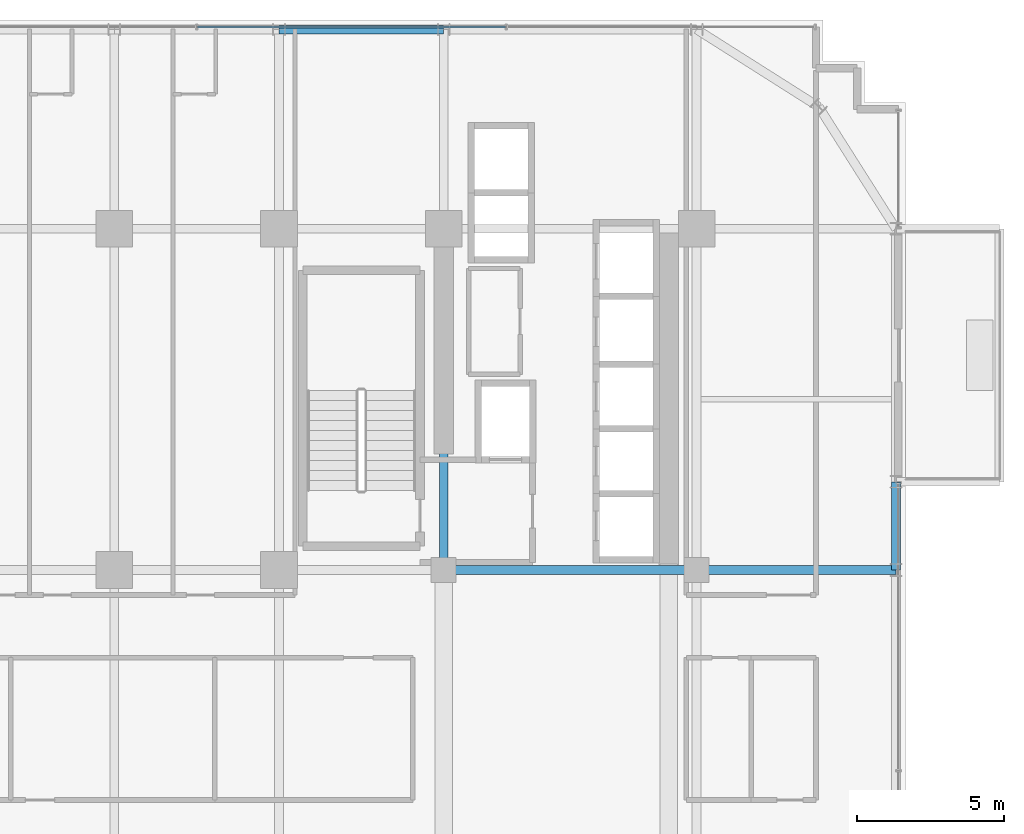
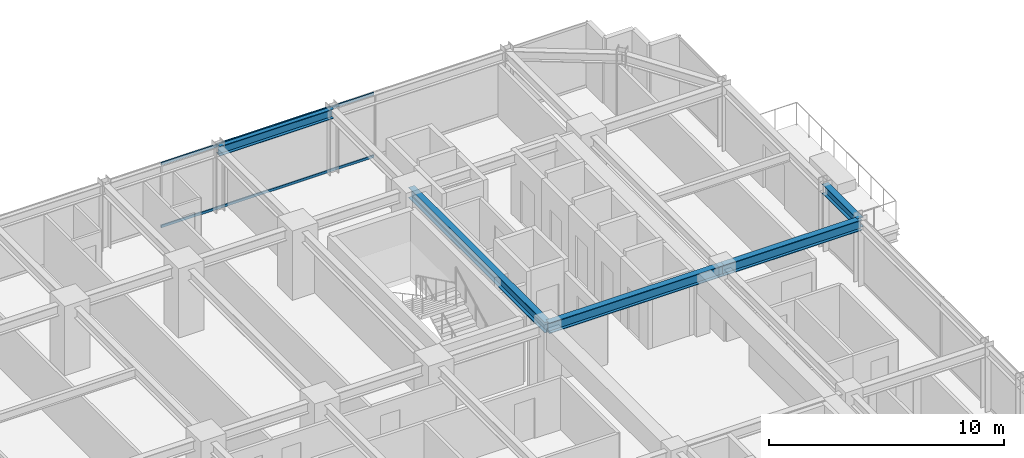
# One storey, part 20 of 32: 5 beams, 2 members, 1 element without a shape of its own.
"""IFC4 building model written with IfcOpenShell, lengths in metres."""

from ifc_helpers import new_model, si_unit, direction, frame, origin, origin_2d, place, context, subcontext, project, spatial, hollow_rectangle, i_section, extrude, source, transform, mapped, material, material_profile, profile_set, type_object, element, aggregate, save


model = new_model("IFC4")

# Units and contexts
model_context = context("Model", 3, precision=1e-05, world=origin(), true_north=direction((0.0, 1.0)))
body_context = subcontext(model_context, "Body", "Model", "MODEL_VIEW")
ifc_project = project(units=[si_unit("LENGTHUNIT", "METRE"), si_unit("AREAUNIT", "SQUARE_METRE"), si_unit("VOLUMEUNIT", "CUBIC_METRE"), si_unit("PLANEANGLEUNIT", "RADIAN"), si_unit("MASSUNIT", "GRAM", prefix="KILO")], contexts=[model_context])

# Site, building, storey
site_placement = place(None, origin())
site = spatial("IfcSite", under=ifc_project, at=site_placement, CompositionType="ELEMENT")
building_placement = place(site_placement, origin())
building = spatial("IfcBuilding", under=site, at=building_placement, Name="Nahalor Promenade Grand Hotel", CompositionType="ELEMENT")
storey_placement = place(building_placement, frame((0.0, 0.0, 102.89990234375)))
storey = spatial("IfcBuildingStorey", under=building, at=storey_placement, Name="L25", CompositionType="ELEMENT", Elevation=102.89990234375)

# Beams
ifc_material_1 = material(Name="Steel S355JR", Category="steel")
ifc_material_profile_1 = material_profile(ifc_material_1, i_section(OverallWidth=0.3, OverallDepth=0.5, WebThickness=0.0145, FlangeThickness=0.028, at=origin_2d()), Name="HEB 500")
ifc_profile_set_1 = profile_set([ifc_material_profile_1], Name="Steel S355JR")
beam_type_1 = type_object("IfcBeamType", Name="Beam-Spandrel-HEB500", PredefinedType="SPANDREL", material=ifc_profile_set_1)
shared_shape_1 = source(origin(), body_context, "Body", "SweptSolid", [
    extrude(i_section(OverallWidth=0.3, OverallDepth=0.5, WebThickness=0.0145, FlangeThickness=0.028, at=origin_2d()), origin(), (0.0, 0.0, 1.0), 5.599853515625),
])
beam_1_placement = place(storey_placement, frame((2.800048828125, 23.780029296875, 3.130126953125), z_axis=(1.0, 0.0, 0.0), x_axis=(0.0, 1.0, 0.0)))
element("IfcBeam", 1, at=beam_1_placement, inside=storey, type_object=beam_type_1, Name="BM-L25-SP-N-3", PredefinedType="SPANDREL", context=body_context, shape_type="MappedRepresentation", body=[
    mapped(shared_shape_1, transform((0.0, 0.0, 0.0), scale=1.0)),
])
shared_shape_2 = source(origin(), body_context, "Body", "SweptSolid", [
    extrude(i_section(OverallWidth=0.3, OverallDepth=0.5, WebThickness=0.0145, FlangeThickness=0.028, at=origin_2d()), origin(), (0.0, 0.0, 1.0), 3.0),
])
beam_2_placement = place(storey_placement, frame((23.780029296875, 5.39990234375, 3.130126953125), z_axis=(0.0, 1.0, 0.0), x_axis=(-1.0, 0.0, 0.0)))
element("IfcBeam", 2, at=beam_2_placement, inside=storey, type_object=beam_type_1, Name="BM-L25-SP-E-3", PredefinedType="SPANDREL", context=body_context, shape_type="MappedRepresentation", body=[
    mapped(shared_shape_2, transform((0.0, 0.0, 0.0), scale=1.0)),
])
ifc_material_profile_2 = material_profile(ifc_material_1, i_section(OverallWidth=0.3, OverallDepth=0.55, WebThickness=0.015, FlangeThickness=0.029, at=origin_2d()), Name="HEB 550")
ifc_profile_set_2 = profile_set([ifc_material_profile_2], Name="Steel S355JR")
beam_type_2 = type_object("IfcBeamType", Name="Beam-Girder-HEB550", PredefinedType="BEAM", material=ifc_profile_set_2)
shared_shape_3 = source(origin(), body_context, "Body", "SweptSolid", [
    extrude(i_section(OverallWidth=0.3, OverallDepth=0.55, WebThickness=0.015, FlangeThickness=0.029, at=origin_2d()), origin(), (0.0, 0.0, 1.0), 6.780029296875),
])
beam_3_placement = place(storey_placement, frame((17.0, 5.39990234375, 3.10498046875), z_axis=(1.0, 0.0, 0.0), x_axis=(0.0, 1.0, 0.0)))
element("IfcBeam", 3, at=beam_3_placement, inside=storey, type_object=beam_type_2, Name="BM-L25-GX-2-6", PredefinedType="BEAM", context=body_context, shape_type="MappedRepresentation", body=[
    mapped(shared_shape_3, transform((0.0, 0.0, 0.0), scale=1.0)),
])
shared_shape_4 = source(origin(), body_context, "Body", "SweptSolid", [
    extrude(i_section(OverallWidth=0.3, OverallDepth=0.55, WebThickness=0.015, FlangeThickness=0.029, at=origin_2d()), origin(), (0.0, 0.0, 1.0), 8.60009765625),
])
beam_4_placement = place(storey_placement, frame((8.39990234375, 5.39990234375, 3.10498046875), z_axis=(1.0, 0.0, 0.0), x_axis=(0.0, 1.0, 0.0)))
element("IfcBeam", 4, at=beam_4_placement, inside=storey, type_object=beam_type_2, Name="BM-L25-GX-2-5", PredefinedType="BEAM", context=body_context, shape_type="MappedRepresentation", body=[
    mapped(shared_shape_4, transform((0.0, 0.0, 0.0), scale=1.0)),
])
shared_shape_5 = source(origin(), body_context, "Body", "SweptSolid", [
    extrude(i_section(OverallWidth=0.3, OverallDepth=0.55, WebThickness=0.015, FlangeThickness=0.029, at=origin_2d()), origin(), (0.0, 0.0, 1.0), 11.60009765625),
])
beam_5_placement = place(storey_placement, frame((8.39990234375, 5.39990234375, 3.10498046875), z_axis=(0.0, 1.0, 0.0), x_axis=(-1.0, 0.0, 0.0)))
element("IfcBeam", 5, at=beam_5_placement, inside=storey, type_object=beam_type_2, Name="BM-L25-GY-4-3", PredefinedType="BEAM", context=body_context, shape_type="MappedRepresentation", body=[
    mapped(shared_shape_5, transform((0.0, 0.0, 0.0), scale=1.0)),
])

# Curtain wall, members
ifc_material_2 = material(Name="Anodised Bronze Aluminium EN AW-6063 T6", Category="aluminium")
curtain_wall_type = type_object("IfcCurtainWallType", Name="CW2 Typical Hotel Flush Bronze Unitised Curtain Wall", PredefinedType="USERDEFINED", material=ifc_material_2)
curtain_wall_placement = place(storey_placement, origin())
curtain_wall = element("IfcCurtainWall", 6, at=curtain_wall_placement, inside=storey, type_object=curtain_wall_type, Name="L25 Curtain Wall CW-L25-N-1", ObjectType="UNITISED_CURTAIN_WALL", PredefinedType="USERDEFINED")
ifc_material_profile_3 = material_profile(ifc_material_2, hollow_rectangle(XDim=0.065, YDim=0.13, WallThickness=0.004, at=origin_2d()), Name="CWT 65x130x4")
ifc_profile_set_3 = profile_set([ifc_material_profile_3], Name="Anodised Bronze Aluminium EN AW-6063 T6")
member_type = type_object("IfcMemberType", Name="CWT2 Typical Bronze Transom 65x130", PredefinedType="USERDEFINED", material=ifc_profile_set_3)
shared_shape_6 = source(origin(), body_context, "Body", "SweptSolid", [
    extrude(hollow_rectangle(XDim=0.065, YDim=0.13, WallThickness=0.004, at=origin_2d()), origin(), (0.0, 0.0, 1.0), 10.465087890625),
])
member_1_placement = place(storey_placement, frame((0.032470703125, 23.860107421875, 0.065185546875), z_axis=(1.0, 0.0, 0.0), x_axis=(0.0, 1.0, 0.0)))
member_1 = element("IfcMember", 7, at=member_1_placement, type_object=member_type, Name="CW-L25-N-1 Transom 2-0", ObjectType="TRANSOM", PredefinedType="USERDEFINED", context=body_context, shape_type="MappedRepresentation", body=[
    mapped(shared_shape_6, transform((0.0, 0.0, 0.0), scale=1.0)),
])
member_2_placement = place(storey_placement, frame((0.032470703125, 23.860107421875, 3.315185546875), z_axis=(1.0, 0.0, 0.0), x_axis=(0.0, 1.0, 0.0)))
member_2 = element("IfcMember", 8, at=member_2_placement, type_object=member_type, Name="CW-L25-N-1 Transom 2-1", ObjectType="TRANSOM", PredefinedType="USERDEFINED", context=body_context, shape_type="MappedRepresentation", body=[
    mapped(shared_shape_6, transform((0.0, 0.0, 0.0), scale=1.0)),
])
aggregate(curtain_wall, [member_1, member_2])

save(model, "model.ifc")
